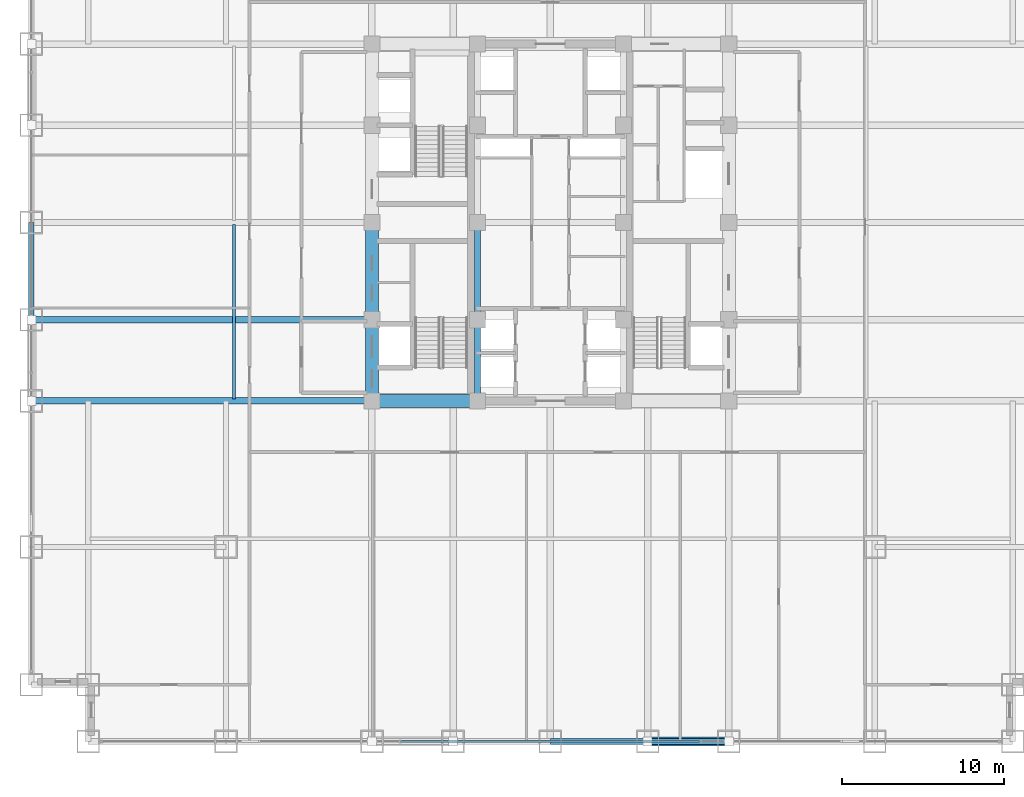
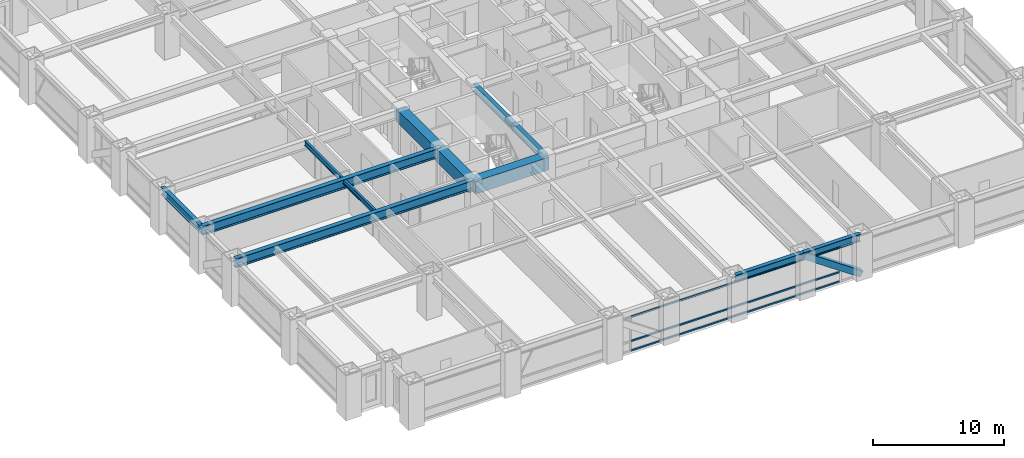
# One storey, part 7 of 27: 11 beams, 4 members, 1 element without a shape of its own.
"""IFC4 building model written with IfcOpenShell, lengths in metres."""

from ifc_helpers import new_model, si_unit, direction, frame, origin, origin_2d, place, context, subcontext, project, spatial, rectangle, hollow_rectangle, i_section, extrude, source, transform, mapped, material, material_profile, profile_set, type_object, element, aggregate, save


model = new_model("IFC4")

# Units and contexts
model_context = context("Model", 3, precision=1e-05, world=origin(), true_north=direction((0.0, 1.0)))
body_context = subcontext(model_context, "Body", "Model", "MODEL_VIEW")
ifc_project = project(units=[si_unit("LENGTHUNIT", "METRE"), si_unit("AREAUNIT", "SQUARE_METRE"), si_unit("VOLUMEUNIT", "CUBIC_METRE"), si_unit("PLANEANGLEUNIT", "RADIAN"), si_unit("MASSUNIT", "GRAM", prefix="KILO")], contexts=[model_context])

# Site, building, storey
site_placement = place(None, origin())
site = spatial("IfcSite", under=ifc_project, at=site_placement, CompositionType="ELEMENT")
building_placement = place(site_placement, origin())
building = spatial("IfcBuilding", under=site, at=building_placement, Name="Khorayat Bourse Tower", CompositionType="ELEMENT")
storey_placement = place(building_placement, frame((0.0, 0.0, 49.39990234375)))
storey = spatial("IfcBuildingStorey", under=building, at=storey_placement, Name="L10", CompositionType="ELEMENT", Elevation=49.39990234375)

# Beams
ifc_material_1 = material(Name="Concrete C72/90", Category="concrete")
ifc_material_profile_1 = material_profile(ifc_material_1, rectangle(XDim=0.800048828125, YDim=1.199951171875, at=origin_2d()), Name="RC 800x1200")
ifc_profile_set_1 = profile_set([ifc_material_profile_1], Name="Concrete C72/90")
beam_type_1 = type_object("IfcBeamType", Name="BM-COUP-1200", PredefinedType="BEAM", material=ifc_profile_set_1)
shared_shape_1 = source(origin(), body_context, "Body", "SweptSolid", [
    extrude(rectangle(XDim=0.800048828125, YDim=1.199951171875, at=origin_2d()), origin(), (0.0, 0.0, 1.0), 5.0),
])
beam_1_placement = place(storey_placement, frame((-11.0, -11.0, 3.340087890625), z_axis=(0.0, 1.0, 0.0), x_axis=(-1.0, 0.0, 0.0)))
element("IfcBeam", 1, at=beam_1_placement, inside=storey, type_object=beam_type_1, Name="L10 BM-COUP-1200 BM-L10-CRX-01", PredefinedType="BEAM", context=body_context, shape_type="MappedRepresentation", body=[
    mapped(shared_shape_1, transform((0.0, 0.0, 0.0), scale=1.0)),
])
shared_shape_2 = source(origin(), body_context, "Body", "SweptSolid", [
    extrude(rectangle(XDim=0.800048828125, YDim=1.199951171875, at=origin_2d()), origin(), (0.0, 0.0, 1.0), 6.0),
])
beam_2_placement = place(storey_placement, frame((-11.0, -6.0, 3.340087890625), z_axis=(0.0, 1.0, 0.0), x_axis=(-1.0, 0.0, 0.0)))
element("IfcBeam", 2, at=beam_2_placement, inside=storey, type_object=beam_type_1, Name="L10 BM-COUP-1200 BM-L10-CRX-02", PredefinedType="BEAM", context=body_context, shape_type="MappedRepresentation", body=[
    mapped(shared_shape_2, transform((0.0, 0.0, 0.0), scale=1.0)),
])
ifc_material_2 = material(Name="Steel ASTM A992 Grade 50", Category="steel")
ifc_material_profile_2 = material_profile(ifc_material_2, i_section(OverallWidth=0.35498046875, OverallDepth=0.695068359375, WebThickness=0.015380859375, FlangeThickness=0.02490234375, FilletRadius=0.01806640625, at=origin_2d()), Name="W690X217")
ifc_profile_set_2 = profile_set([ifc_material_profile_2], Name="Steel ASTM A992 Grade 50")
beam_type_2 = type_object("IfcBeamType", Name="BM-GIRD-690", PredefinedType="BEAM", material=ifc_profile_set_2)
shared_shape_3 = source(origin(), body_context, "Body", "SweptSolid", [
    extrude(i_section(OverallWidth=0.35498046875, OverallDepth=0.695068359375, WebThickness=0.015380859375, FlangeThickness=0.02490234375, FilletRadius=0.01806640625, at=origin_2d()), origin(), (0.0, 0.0, 1.0), 5.0),
])
beam_3_placement = place(storey_placement, frame((-4.5, -11.0, 3.592529296875), z_axis=(0.0, 1.0, 0.0), x_axis=(-1.0, 0.0, 0.0)))
element("IfcBeam", 3, at=beam_3_placement, inside=storey, type_object=beam_type_2, Name="L10 BM-GIRD-690 BM-L10-CRX-05", PredefinedType="BEAM", context=body_context, shape_type="MappedRepresentation", body=[
    mapped(shared_shape_3, transform((0.0, 0.0, 0.0), scale=1.0)),
])
shared_shape_4 = source(origin(), body_context, "Body", "SweptSolid", [
    extrude(i_section(OverallWidth=0.35498046875, OverallDepth=0.695068359375, WebThickness=0.015380859375, FlangeThickness=0.02490234375, FilletRadius=0.01806640625, at=origin_2d()), origin(), (0.0, 0.0, 1.0), 6.0),
])
beam_4_placement = place(storey_placement, frame((-4.5, -6.0, 3.592529296875), z_axis=(0.0, 1.0, 0.0), x_axis=(-1.0, 0.0, 0.0)))
element("IfcBeam", 4, at=beam_4_placement, inside=storey, type_object=beam_type_2, Name="L10 BM-GIRD-690 BM-L10-CRX-06", PredefinedType="BEAM", context=body_context, shape_type="MappedRepresentation", body=[
    mapped(shared_shape_4, transform((0.0, 0.0, 0.0), scale=1.0)),
])
shared_shape_5 = source(origin(), body_context, "Body", "SweptSolid", [
    extrude(rectangle(XDim=0.800048828125, YDim=1.199951171875, at=origin_2d()), origin(), (0.0, 0.0, 1.0), 6.5),
])
beam_5_placement = place(storey_placement, frame((-11.0, -11.0, 3.340087890625), z_axis=(1.0, 0.0, 0.0), x_axis=(0.0, 1.0, 0.0)))
element("IfcBeam", 5, at=beam_5_placement, inside=storey, type_object=beam_type_1, Name="L10 BM-COUP-1200 BM-L10-CRY-17", PredefinedType="BEAM", context=body_context, shape_type="MappedRepresentation", body=[
    mapped(shared_shape_5, transform((0.0, 0.0, 0.0), scale=1.0)),
])
ifc_material_profile_3 = material_profile(ifc_material_2, i_section(OverallWidth=0.35498046875, OverallDepth=0.695068359375, WebThickness=0.015380859375, FlangeThickness=0.02490234375, FilletRadius=0.01806640625, at=origin_2d()), Name="W690X217")
ifc_profile_set_3 = profile_set([ifc_material_profile_3], Name="Steel ASTM A992 Grade 50")
beam_type_3 = type_object("IfcBeamType", Name="BM-SPAN-690", PredefinedType="SPANDREL", material=ifc_profile_set_3)
shared_shape_6 = source(origin(), body_context, "Body", "SweptSolid", [
    extrude(i_section(OverallWidth=0.35498046875, OverallDepth=0.695068359375, WebThickness=0.015380859375, FlangeThickness=0.02490234375, FilletRadius=0.01806640625, at=origin_2d()), origin(), (0.0, 0.0, 1.0), 5.0),
])
beam_6_placement = place(storey_placement, frame((6.0, -32.0, 3.592529296875), z_axis=(1.0, 0.0, 0.0), x_axis=(0.0, 1.0, 0.0)))
element("IfcBeam", 6, at=beam_6_placement, inside=storey, type_object=beam_type_3, Name="L10 BM-SPAN-690 BM-L10-SPN-029", PredefinedType="SPANDREL", context=body_context, shape_type="MappedRepresentation", body=[
    mapped(shared_shape_6, transform((0.0, 0.0, 0.0), scale=1.0)),
])
shared_shape_7 = source(origin(), body_context, "Body", "SweptSolid", [
    extrude(i_section(OverallWidth=0.35498046875, OverallDepth=0.695068359375, WebThickness=0.015380859375, FlangeThickness=0.02490234375, FilletRadius=0.01806640625, at=origin_2d()), origin(), (0.0, 0.0, 1.0), 6.0),
])
for number, where, z_axis, x_axis, name in (
    (7, (0.0, -32.0, 3.592529296875), (1.0, 0.0, 0.0), (0.0, 1.0, 0.0), "L10 BM-SPAN-690 BM-L10-SPN-028"),
    (8, (-32.0, -6.0, 3.592529296875), (0.0, 1.0, 0.0), (-1.0, 0.0, 0.0), "L10 BM-SPAN-690 BM-L10-SPN-058"),
):
    element("IfcBeam", number, at=place(storey_placement, frame(where, z_axis=z_axis, x_axis=x_axis)), inside=storey, type_object=beam_type_3, Name=name, PredefinedType="SPANDREL", context=body_context, shape_type="MappedRepresentation", body=[
        mapped(shared_shape_7, transform((0.0, 0.0, 0.0), scale=1.0)),
    ])
ifc_material_profile_4 = material_profile(ifc_material_2, i_section(OverallWidth=0.39990234375, OverallDepth=0.85498046875, WebThickness=0.018310546875, FlangeThickness=0.029296875, FilletRadius=0.02001953125, at=origin_2d()), Name="W840X299")
ifc_profile_set_4 = profile_set([ifc_material_profile_4], Name="Steel ASTM A992 Grade 50")
beam_type_4 = type_object("IfcBeamType", Name="BM-GIRD-840", PredefinedType="BEAM", material=ifc_profile_set_4)
shared_shape_8 = source(origin(), body_context, "Body", "SweptSolid", [
    extrude(i_section(OverallWidth=0.39990234375, OverallDepth=0.85498046875, WebThickness=0.018310546875, FlangeThickness=0.029296875, FilletRadius=0.02001953125, at=origin_2d()), origin(), (0.0, 0.0, 1.0), 21.0),
])
for number, where, z_axis, x_axis, name in (
    (9, (-32.0, -11.0, 3.5126953125), (1.0, 0.0, 0.0), (0.0, 1.0, 0.0), "L10 BM-GIRD-840 BM-L10-RADX-075"),
    (10, (-32.0, -6.0, 3.5126953125), (1.0, 0.0, 0.0), (0.0, 1.0, 0.0), "L10 BM-GIRD-840 BM-L10-RADX-077"),
):
    element("IfcBeam", number, at=place(storey_placement, frame(where, z_axis=z_axis, x_axis=x_axis)), inside=storey, type_object=beam_type_4, Name=name, PredefinedType="BEAM", context=body_context, shape_type="MappedRepresentation", body=[
        mapped(shared_shape_8, transform((0.0, 0.0, 0.0), scale=1.0)),
    ])
ifc_material_profile_5 = material_profile(ifc_material_2, i_section(OverallWidth=0.194091796875, OverallDepth=0.468994140625, WebThickness=0.0126953125, FlangeThickness=0.0205078125, FilletRadius=0.012939453125, at=origin_2d()), Name="W460X106")
ifc_profile_set_5 = profile_set([ifc_material_profile_5], Name="Steel ASTM A992 Grade 50")
beam_type_5 = type_object("IfcBeamType", Name="BM-JOIST-460", PredefinedType="JOIST", material=ifc_profile_set_5)
shared_shape_9 = source(origin(), body_context, "Body", "SweptSolid", [
    extrude(i_section(OverallWidth=0.194091796875, OverallDepth=0.468994140625, WebThickness=0.0126953125, FlangeThickness=0.0205078125, FilletRadius=0.012939453125, at=origin_2d()), origin(), (0.0, 0.0, 1.0), 10.740234375),
])
beam_7_placement = place(storey_placement, frame((-19.5, -10.8701171875, 3.70556640625), z_axis=(0.0, 1.0, 0.0), x_axis=(-1.0, 0.0, 0.0)))
element("IfcBeam", 11, at=beam_7_placement, inside=storey, type_object=beam_type_5, Name="L10 BM-JOIST-460 BM-L10-JSTY-102", PredefinedType="JOIST", context=body_context, shape_type="MappedRepresentation", body=[
    mapped(shared_shape_9, transform((0.0, 0.0, 0.0), scale=1.0)),
])

# Member
ifc_material_3 = material(Name="Steel EN 10025-4 S460M", Category="steel")
ifc_material_profile_6 = material_profile(ifc_material_3, hollow_rectangle(XDim=0.550048828125, YDim=0.550048828125, WallThickness=0.031982421875, at=origin_2d()), Name="HSS 550x550x32")
ifc_profile_set_6 = profile_set([ifc_material_profile_6], Name="Steel EN 10025-4 S460M")
member_type_1 = type_object("IfcMemberType", Name="MBR-TUBE-550", PredefinedType="BRACE", material=ifc_profile_set_6)
shared_shape_10 = source(origin(), body_context, "Body", "SweptSolid", [
    extrude(hollow_rectangle(XDim=0.550048828125, YDim=0.550048828125, WallThickness=0.031982421875, at=origin_2d()), origin(), (0.0, 0.0, 1.0), 6.069091796875),
])
member_1_placement = place(storey_placement, frame((6.0, -32.0, 3.690185546875), z_axis=(0.823835295996, 0.0, -0.566829255659), x_axis=(0.0, 1.0, 0.0)))
element("IfcMember", 12, at=member_1_placement, inside=storey, type_object=member_type_1, Name="L10 Perimeter Tube Brace 02", PredefinedType="BRACE", context=body_context, shape_type="MappedRepresentation", body=[
    mapped(shared_shape_10, transform((0.0, 0.0, 0.0), scale=1.0)),
])

# Curtain wall, members
ifc_material_4 = material(Name="Aluminium EN AW-6063 T6", Category="aluminium")
curtain_wall_type = type_object("IfcCurtainWallType", Name="CW-SYS-02", PredefinedType="NOTDEFINED", material=ifc_material_4)
curtain_wall_placement = place(storey_placement, origin())
curtain_wall = element("IfcCurtainWall", 13, at=curtain_wall_placement, inside=storey, type_object=curtain_wall_type, Name="L10 Curtain Wall CW-L10-S1", PredefinedType="NOTDEFINED")
ifc_material_profile_7 = material_profile(ifc_material_4, hollow_rectangle(XDim=0.139892578125, YDim=0.139892578125, WallThickness=0.006103515625, at=origin_2d()), Name="ALU 140x140x6")
ifc_profile_set_7 = profile_set([ifc_material_profile_7], Name="Aluminium EN AW-6063 T6")
member_type_2 = type_object("IfcMemberType", Name="CWT-HORZ-140", PredefinedType="USERDEFINED", material=ifc_profile_set_7)
shared_shape_11 = source(origin(), body_context, "Body", "SweptSolid", [
    extrude(hollow_rectangle(XDim=0.139892578125, YDim=0.139892578125, WallThickness=0.006103515625, at=origin_2d()), origin(), (0.0, 0.0, 1.0), 18.35986328125),
])
member_2_placement = place(storey_placement, frame((-9.179931640625, -32.0, 0.070068359375), z_axis=(1.0, 0.0, 0.0), x_axis=(0.0, 1.0, 0.0)))
member_2 = element("IfcMember", 14, at=member_2_placement, type_object=member_type_2, Name="CW-L10-S1 Horizontal Transom 2-1", ObjectType="TRANSOM", PredefinedType="USERDEFINED", context=body_context, shape_type="MappedRepresentation", body=[
    mapped(shared_shape_11, transform((0.0, 0.0, 0.0), scale=1.0)),
])
member_3_placement = place(storey_placement, frame((-9.179931640625, -32.0, 0.9501953125), z_axis=(1.0, 0.0, 0.0), x_axis=(0.0, 1.0, 0.0)))
member_3 = element("IfcMember", 15, at=member_3_placement, type_object=member_type_2, Name="CW-L10-S1 Horizontal Transom 2-2", ObjectType="TRANSOM", PredefinedType="USERDEFINED", context=body_context, shape_type="MappedRepresentation", body=[
    mapped(shared_shape_11, transform((0.0, 0.0, 0.0), scale=1.0)),
])
member_4_placement = place(storey_placement, frame((-9.179931640625, -32.0, 3.22021484375), z_axis=(1.0, 0.0, 0.0), x_axis=(0.0, 1.0, 0.0)))
member_4 = element("IfcMember", 16, at=member_4_placement, type_object=member_type_2, Name="CW-L10-S1 Horizontal Transom 2-3", ObjectType="TRANSOM", PredefinedType="USERDEFINED", context=body_context, shape_type="MappedRepresentation", body=[
    mapped(shared_shape_11, transform((0.0, 0.0, 0.0), scale=1.0)),
])
aggregate(curtain_wall, [member_2, member_3, member_4])

save(model, "model.ifc")
